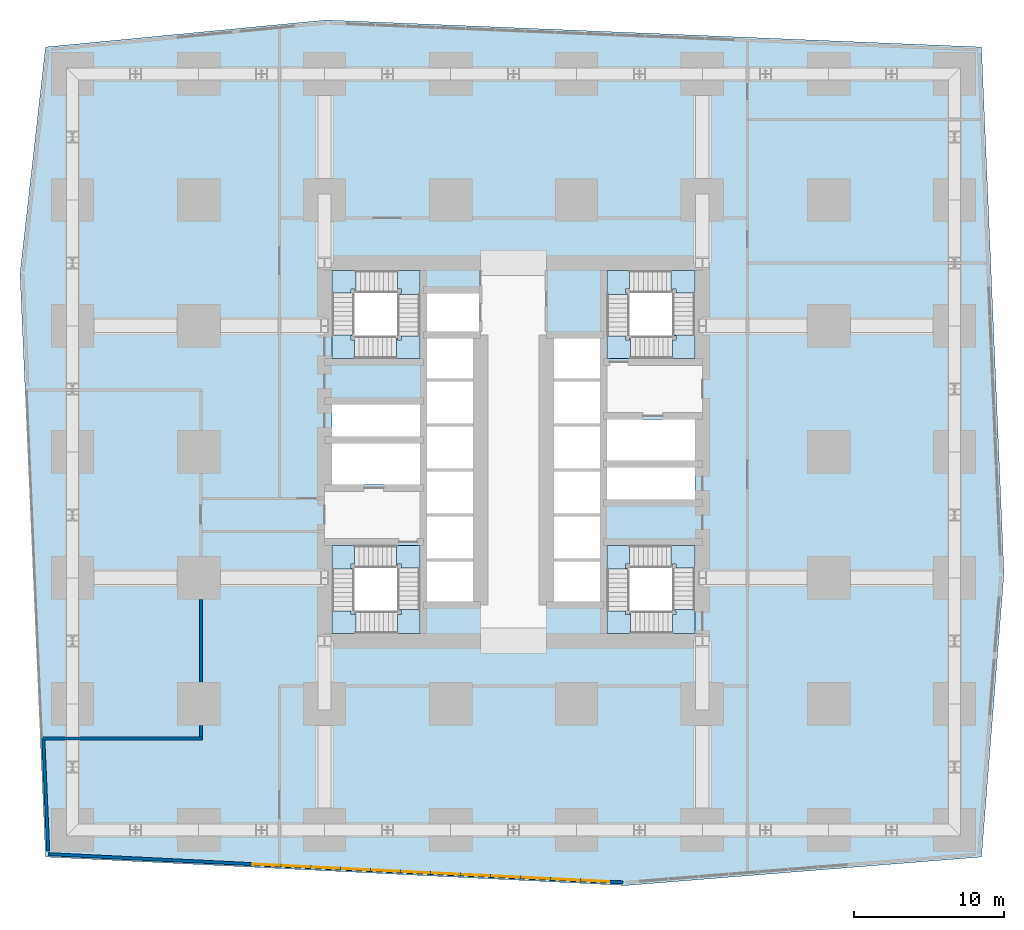
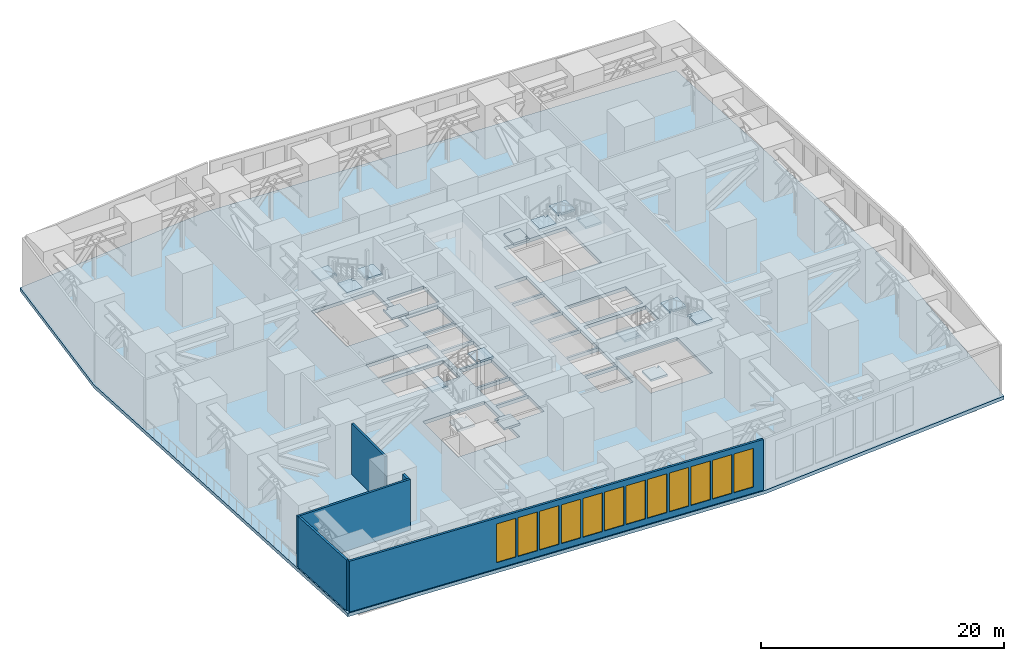
# One storey, part 8 of 16: 17 slabs, 12 windows, 5 walls, 12 openings, 4 elements without a shape of their own.
"""IFC4 building model written with IfcOpenShell, lengths in metres."""

from ifc_helpers import new_model, si_unit, direction, frame, frame_2d, origin, place, context, subcontext, project, spatial, polyline, rectangle, outline, extrude, material, layer, layer_set, type_object, element, fill, aggregate, save


model = new_model("IFC4")

# Units and contexts
model_context = context("Model", 3, precision=1e-05, world=origin(), true_north=direction((0.0, 1.0)))
body_context = subcontext(model_context, "Body", "Model", "MODEL_VIEW")
ifc_project = project(units=[si_unit("LENGTHUNIT", "METRE"), si_unit("AREAUNIT", "SQUARE_METRE"), si_unit("VOLUMEUNIT", "CUBIC_METRE"), si_unit("PLANEANGLEUNIT", "RADIAN"), si_unit("MASSUNIT", "GRAM", prefix="KILO")], contexts=[model_context])

# Site, building, storey
site_placement = place(None, origin())
site = spatial("IfcSite", under=ifc_project, at=site_placement, CompositionType="ELEMENT")
building_placement = place(site_placement, origin())
building = spatial("IfcBuilding", under=site, at=building_placement, Name="Rekha Terrace Tower", CompositionType="ELEMENT")
storey_placement = place(building_placement, frame((0.0, 0.0, 85.39990234375)))
storey = spatial("IfcBuildingStorey", under=building, at=storey_placement, Name="L21", CompositionType="ELEMENT", Elevation=85.39990234375)

# Stair, slabs
ifc_material_1 = material(Name="Concrete M40", Category="concrete")
stair_type = type_object("IfcStairType", Name="ST40 stair, 40 risers of 135, going 310, 1500 wide flights, 4 flights", PredefinedType="QUARTER_TURN_STAIR", material=ifc_material_1)
stair_1_placement = place(storey_placement, origin())
stair_1 = element("IfcStair", 1, at=stair_1_placement, inside=storey, type_object=stair_type, Name="Stair ST1 L21 to L22", PredefinedType="QUARTER_TURN_STAIR")
ifc_layer_1 = layer(ifc_material_1, 0.199951171875)
ifc_layer_set_1 = layer_set([ifc_layer_1], Name="Concrete M40")
slab_type_1 = type_object("IfcSlabType", Name="LD1 200 concrete stair landing", PredefinedType="LANDING", material=ifc_layer_set_1)
slab_1_placement = place(storey_placement, frame((0.0, 0.0, 1.150146484375)))
slab_1 = element("IfcSlab", 2, at=slab_1_placement, type_object=slab_type_1, Name="ST1 landing 1", PredefinedType="LANDING", context=body_context, shape_type="SweptSolid", body=[
    extrude(outline(polyline([(30.074951171875, 21.5), (31.574951171875, 21.5), (31.574951171875, 23.0849609375), (30.074951171875, 23.0849609375), (30.074951171875, 23.0), (30.324951171875, 23.0), (30.324951171875, 22.75), (30.074951171875, 22.75), (30.074951171875, 21.5)])), origin(), (0.0, 0.0, 1.0), 0.199951171875),
])
slab_2_placement = place(storey_placement, frame((0.0, 0.0, 2.5)))
slab_2 = element("IfcSlab", 3, at=slab_2_placement, type_object=slab_type_1, Name="ST1 landing 2", PredefinedType="LANDING", context=body_context, shape_type="SweptSolid", body=[
    extrude(outline(polyline([(25.699951171875, 23.0), (25.699951171875, 21.5), (27.284912109375, 21.5), (27.284912109375, 23.0), (27.199951171875, 23.0), (27.199951171875, 22.75), (26.949951171875, 22.75), (26.949951171875, 23.0), (25.699951171875, 23.0)])), origin(), (0.0, 0.0, 1.0), 0.2001953125),
])
slab_3_placement = place(storey_placement, frame((0.0, 0.0, 3.85009765625)))
slab_3 = element("IfcSlab", 4, at=slab_3_placement, type_object=slab_type_1, Name="ST1 landing 3", PredefinedType="LANDING", context=body_context, shape_type="SweptSolid", body=[
    extrude(outline(polyline([(27.199951171875, 27.375), (25.699951171875, 27.375), (25.699951171875, 25.7900390625), (27.199951171875, 25.7900390625), (27.199951171875, 25.875), (26.949951171875, 25.875), (26.949951171875, 26.125), (27.199951171875, 26.125), (27.199951171875, 27.375)])), origin(), (0.0, 0.0, 1.0), 0.199951171875),
])
slab_4_placement = place(storey_placement, frame((0.0, 0.0, 5.2001953125)))
slab_4 = element("IfcSlab", 5, at=slab_4_placement, type_object=slab_type_1, Name="ST1 landing 4", PredefinedType="LANDING", context=body_context, shape_type="SweptSolid", body=[
    extrude(outline(polyline([(31.574951171875, 25.875), (31.574951171875, 27.375), (29.989990234375, 27.375), (29.989990234375, 25.875), (30.074951171875, 25.875), (30.074951171875, 26.125), (30.324951171875, 26.125), (30.324951171875, 25.875), (31.574951171875, 25.875)])), origin(), (0.0, 0.0, 1.0), 0.199951171875),
])
aggregate(stair_1, [slab_1, slab_2, slab_3, slab_4])

stair_2_placement = place(storey_placement, origin())
stair_2 = element("IfcStair", 6, at=stair_2_placement, inside=storey, type_object=stair_type, Name="Stair ST2 L21 to L22", PredefinedType="QUARTER_TURN_STAIR")
slab_5_placement = place(storey_placement, frame((0.0, 0.0, 1.150146484375)))
slab_5 = element("IfcSlab", 7, at=slab_5_placement, type_object=slab_type_1, Name="ST2 landing 1", PredefinedType="LANDING", context=body_context, shape_type="SweptSolid", body=[
    extrude(outline(polyline([(45.52490234375, 45.699951171875), (44.02490234375, 45.699951171875), (44.02490234375, 44.114990234375), (45.52490234375, 44.114990234375), (45.52490234375, 44.199951171875), (45.27490234375, 44.199951171875), (45.27490234375, 44.449951171875), (45.52490234375, 44.449951171875), (45.52490234375, 45.699951171875)])), origin(), (0.0, 0.0, 1.0), 0.199951171875),
])
slab_6_placement = place(storey_placement, frame((0.0, 0.0, 2.5)))
slab_6 = element("IfcSlab", 8, at=slab_6_placement, type_object=slab_type_1, Name="ST2 landing 2", PredefinedType="LANDING", context=body_context, shape_type="SweptSolid", body=[
    extrude(outline(polyline([(49.89990234375, 44.199951171875), (49.89990234375, 45.699951171875), (48.31494140625, 45.699951171875), (48.31494140625, 44.199951171875), (48.39990234375, 44.199951171875), (48.39990234375, 44.449951171875), (48.64990234375, 44.449951171875), (48.64990234375, 44.199951171875), (49.89990234375, 44.199951171875)])), origin(), (0.0, 0.0, 1.0), 0.2001953125),
])
slab_7_placement = place(storey_placement, frame((0.0, 0.0, 3.85009765625)))
slab_7 = element("IfcSlab", 9, at=slab_7_placement, type_object=slab_type_1, Name="ST2 landing 3", PredefinedType="LANDING", context=body_context, shape_type="SweptSolid", body=[
    extrude(outline(polyline([(48.39990234375, 39.824951171875), (49.89990234375, 39.824951171875), (49.89990234375, 41.409912109375), (48.39990234375, 41.409912109375), (48.39990234375, 41.324951171875), (48.64990234375, 41.324951171875), (48.64990234375, 41.074951171875), (48.39990234375, 41.074951171875), (48.39990234375, 39.824951171875)])), origin(), (0.0, 0.0, 1.0), 0.199951171875),
])
slab_8_placement = place(storey_placement, frame((0.0, 0.0, 5.2001953125)))
slab_8 = element("IfcSlab", 10, at=slab_8_placement, type_object=slab_type_1, Name="ST2 landing 4", PredefinedType="LANDING", context=body_context, shape_type="SweptSolid", body=[
    extrude(outline(polyline([(44.02490234375, 41.324951171875), (44.02490234375, 39.824951171875), (45.610107421875, 39.824951171875), (45.610107421875, 41.324951171875), (45.52490234375, 41.324951171875), (45.52490234375, 41.074951171875), (45.27490234375, 41.074951171875), (45.27490234375, 41.324951171875), (44.02490234375, 41.324951171875)])), origin(), (0.0, 0.0, 1.0), 0.199951171875),
])
aggregate(stair_2, [slab_5, slab_6, slab_7, slab_8])

stair_3_placement = place(storey_placement, origin())
stair_3 = element("IfcStair", 11, at=stair_3_placement, inside=storey, type_object=stair_type, Name="Stair ST3 L21 to L22", PredefinedType="QUARTER_TURN_STAIR")
slab_9_placement = place(storey_placement, frame((0.0, 0.0, 1.150146484375)))
slab_9 = element("IfcSlab", 12, at=slab_9_placement, type_object=slab_type_1, Name="ST3 landing 1", PredefinedType="LANDING", context=body_context, shape_type="SweptSolid", body=[
    extrude(outline(polyline([(44.02490234375, 23.0), (44.02490234375, 21.5), (45.610107421875, 21.5), (45.610107421875, 23.0), (45.52490234375, 23.0), (45.52490234375, 22.75), (45.27490234375, 22.75), (45.27490234375, 23.0), (44.02490234375, 23.0)])), origin(), (0.0, 0.0, 1.0), 0.199951171875),
])
slab_10_placement = place(storey_placement, frame((0.0, 0.0, 2.5)))
slab_10 = element("IfcSlab", 13, at=slab_10_placement, type_object=slab_type_1, Name="ST3 landing 2", PredefinedType="LANDING", context=body_context, shape_type="SweptSolid", body=[
    extrude(outline(polyline([(45.52490234375, 27.375), (44.02490234375, 27.375), (44.02490234375, 25.7900390625), (45.52490234375, 25.7900390625), (45.52490234375, 25.875), (45.27490234375, 25.875), (45.27490234375, 26.125), (45.52490234375, 26.125), (45.52490234375, 27.375)])), origin(), (0.0, 0.0, 1.0), 0.2001953125),
])
slab_11_placement = place(storey_placement, frame((0.0, 0.0, 3.85009765625)))
slab_11 = element("IfcSlab", 14, at=slab_11_placement, type_object=slab_type_1, Name="ST3 landing 3", PredefinedType="LANDING", context=body_context, shape_type="SweptSolid", body=[
    extrude(outline(polyline([(49.89990234375, 25.875), (49.89990234375, 27.375), (48.31494140625, 27.375), (48.31494140625, 25.875), (48.39990234375, 25.875), (48.39990234375, 26.125), (48.64990234375, 26.125), (48.64990234375, 25.875), (49.89990234375, 25.875)])), origin(), (0.0, 0.0, 1.0), 0.199951171875),
])
slab_12_placement = place(storey_placement, frame((0.0, 0.0, 5.2001953125)))
slab_12 = element("IfcSlab", 15, at=slab_12_placement, type_object=slab_type_1, Name="ST3 landing 4", PredefinedType="LANDING", context=body_context, shape_type="SweptSolid", body=[
    extrude(outline(polyline([(48.39990234375, 21.5), (49.89990234375, 21.5), (49.89990234375, 23.0849609375), (48.39990234375, 23.0849609375), (48.39990234375, 23.0), (48.64990234375, 23.0), (48.64990234375, 22.75), (48.39990234375, 22.75), (48.39990234375, 21.5)])), origin(), (0.0, 0.0, 1.0), 0.199951171875),
])
aggregate(stair_3, [slab_9, slab_10, slab_11, slab_12])

stair_4_placement = place(storey_placement, origin())
stair_4 = element("IfcStair", 16, at=stair_4_placement, inside=storey, type_object=stair_type, Name="Stair ST4 L21 to L22", PredefinedType="QUARTER_TURN_STAIR")
slab_13_placement = place(storey_placement, frame((0.0, 0.0, 1.150146484375)))
slab_13 = element("IfcSlab", 17, at=slab_13_placement, type_object=slab_type_1, Name="ST4 landing 1", PredefinedType="LANDING", context=body_context, shape_type="SweptSolid", body=[
    extrude(outline(polyline([(31.574951171875, 41.324951171875), (31.574951171875, 39.824951171875), (29.989990234375, 39.824951171875), (29.989990234375, 41.324951171875), (30.074951171875, 41.324951171875), (30.074951171875, 41.074951171875), (30.324951171875, 41.074951171875), (30.324951171875, 41.324951171875), (31.574951171875, 41.324951171875)])), origin(), (0.0, 0.0, 1.0), 0.199951171875),
])
slab_14_placement = place(storey_placement, frame((0.0, 0.0, 2.5)))
slab_14 = element("IfcSlab", 18, at=slab_14_placement, type_object=slab_type_1, Name="ST4 landing 2", PredefinedType="LANDING", context=body_context, shape_type="SweptSolid", body=[
    extrude(outline(polyline([(30.074951171875, 45.699951171875), (31.574951171875, 45.699951171875), (31.574951171875, 44.114990234375), (30.074951171875, 44.114990234375), (30.074951171875, 44.199951171875), (30.324951171875, 44.199951171875), (30.324951171875, 44.449951171875), (30.074951171875, 44.449951171875), (30.074951171875, 45.699951171875)])), origin(), (0.0, 0.0, 1.0), 0.2001953125),
])
slab_15_placement = place(storey_placement, frame((0.0, 0.0, 3.85009765625)))
slab_15 = element("IfcSlab", 19, at=slab_15_placement, type_object=slab_type_1, Name="ST4 landing 3", PredefinedType="LANDING", context=body_context, shape_type="SweptSolid", body=[
    extrude(outline(polyline([(25.699951171875, 44.199951171875), (25.699951171875, 45.699951171875), (27.284912109375, 45.699951171875), (27.284912109375, 44.199951171875), (27.199951171875, 44.199951171875), (27.199951171875, 44.449951171875), (26.949951171875, 44.449951171875), (26.949951171875, 44.199951171875), (25.699951171875, 44.199951171875)])), origin(), (0.0, 0.0, 1.0), 0.199951171875),
])
slab_16_placement = place(storey_placement, frame((0.0, 0.0, 5.2001953125)))
slab_16 = element("IfcSlab", 20, at=slab_16_placement, type_object=slab_type_1, Name="ST4 landing 4", PredefinedType="LANDING", context=body_context, shape_type="SweptSolid", body=[
    extrude(outline(polyline([(27.199951171875, 39.824951171875), (25.699951171875, 39.824951171875), (25.699951171875, 41.409912109375), (27.199951171875, 41.409912109375), (27.199951171875, 41.324951171875), (26.949951171875, 41.324951171875), (26.949951171875, 41.074951171875), (27.199951171875, 41.074951171875), (27.199951171875, 39.824951171875)])), origin(), (0.0, 0.0, 1.0), 0.199951171875),
])
aggregate(stair_4, [slab_13, slab_14, slab_15, slab_16])

# Slab
ifc_material_2 = material(Name="Concrete M50", Category="concrete")
ifc_layer_2 = layer(ifc_material_2, 0.35009765625)
ifc_layer_set_2 = layer_set([ifc_layer_2], Name="Concrete M50")
slab_type_2 = type_object("IfcSlabType", Name="SL5 350 plant and refuge floor slab", PredefinedType="FLOOR", material=ifc_layer_set_2)
slab_17_placement = place(storey_placement, frame((0.0, 0.0, -0.349853515625)))
element("IfcSlab", 21, at=slab_17_placement, inside=storey, type_object=slab_type_2, Name="Plant and refuge floor slab L21", PredefinedType="FLOOR", context=body_context, shape_type="SweptSolid", body=[
    extrude(outline(polyline([(4.89990234375, 45.47998046875), (6.60009765625, 6.60009765625), (45.2880859375, 4.699951171875), (69.0, 6.60009765625), (70.5, 25.5), (69.0, 60.60009765625), (25.320068359375, 62.39990234375), (6.60009765625, 60.60009765625), (4.89990234375, 45.47998046875)]), holes=[polyline([(31.574951171875, 27.375), (31.574951171875, 21.5), (25.699951171875, 21.5), (25.699951171875, 27.375), (31.574951171875, 27.375)]), polyline([(35.10009765625, 26.300048828125), (35.10009765625, 23.625), (32.02490234375, 23.625), (32.02490234375, 26.300048828125), (35.10009765625, 26.300048828125)]), polyline([(35.10009765625, 29.300048828125), (35.10009765625, 26.5), (32.02490234375, 26.5), (32.02490234375, 29.300048828125), (35.10009765625, 29.300048828125)]), polyline([(35.10009765625, 29.5), (32.02490234375, 29.5), (32.02490234375, 32.300048828125), (35.10009765625, 32.300048828125), (35.10009765625, 29.5)]), polyline([(31.574951171875, 31.425048828125), (25.699951171875, 31.425048828125), (25.699951171875, 34.175048828125), (31.574951171875, 34.175048828125), (31.574951171875, 31.425048828125)]), polyline([(35.10009765625, 35.300048828125), (35.10009765625, 32.5), (32.02490234375, 32.5), (32.02490234375, 35.300048828125), (35.10009765625, 35.300048828125)]), polyline([(31.574951171875, 36.77490234375), (31.574951171875, 34.625), (25.699951171875, 34.625), (25.699951171875, 36.77490234375), (31.574951171875, 36.77490234375)]), polyline([(35.10009765625, 38.300048828125), (35.10009765625, 35.5), (32.02490234375, 35.5), (32.02490234375, 38.300048828125), (35.10009765625, 38.300048828125)]), polyline([(35.10009765625, 38.5), (32.02490234375, 38.5), (32.02490234375, 41.175048828125), (35.10009765625, 41.175048828125), (35.10009765625, 38.5)]), polyline([(31.574951171875, 39.824951171875), (25.699951171875, 39.824951171875), (25.699951171875, 45.699951171875), (31.574951171875, 45.699951171875), (31.574951171875, 39.824951171875)]), polyline([(35.5, 44.175048828125), (35.5, 41.625), (32.02490234375, 41.625), (32.02490234375, 44.175048828125), (35.5, 44.175048828125)]), polyline([(49.89990234375, 27.375), (49.89990234375, 21.5), (44.02490234375, 21.5), (44.02490234375, 27.375), (49.89990234375, 27.375)]), polyline([(43.574951171875, 26.300048828125), (43.574951171875, 23.625), (40.5, 23.625), (40.5, 26.300048828125), (43.574951171875, 26.300048828125)]), polyline([(43.574951171875, 26.5), (40.5, 26.5), (40.5, 29.300048828125), (43.574951171875, 29.300048828125), (43.574951171875, 26.5)]), polyline([(43.574951171875, 29.5), (40.5, 29.5), (40.5, 32.300048828125), (43.574951171875, 32.300048828125), (43.574951171875, 29.5)]), polyline([(49.89990234375, 32.574951171875), (49.89990234375, 30.425048828125), (44.02490234375, 30.425048828125), (44.02490234375, 32.574951171875), (49.89990234375, 32.574951171875)]), polyline([(43.574951171875, 32.5), (40.5, 32.5), (40.5, 35.300048828125), (43.574951171875, 35.300048828125), (43.574951171875, 32.5)]), polyline([(49.89990234375, 33.02490234375), (44.02490234375, 33.02490234375), (44.02490234375, 35.77490234375), (49.89990234375, 35.77490234375), (49.89990234375, 33.02490234375)]), polyline([(43.574951171875, 38.300048828125), (43.574951171875, 35.5), (40.5, 35.5), (40.5, 38.300048828125), (43.574951171875, 38.300048828125)]), polyline([(43.574951171875, 38.5), (40.5, 38.5), (40.5, 41.175048828125), (43.574951171875, 41.175048828125), (43.574951171875, 38.5)]), polyline([(49.89990234375, 39.824951171875), (44.02490234375, 39.824951171875), (44.02490234375, 45.699951171875), (49.89990234375, 45.699951171875), (49.89990234375, 39.824951171875)])]), origin(), (0.0, 0.0, 1.0), 0.349853515625),
])

# Wall, openings, windows
ifc_material_3 = material(Name="Aluminium cladding on steel stud wall", Category="steel")
ifc_layer_3 = layer(ifc_material_3, 0.199951171875)
ifc_layer_set_3 = layer_set([ifc_layer_3], Name="Aluminium cladding on steel stud wall")
wall_type_1 = type_object("IfcWallType", Name="EW1 plant floor louvre wall 200", PredefinedType="SOLIDWALL", material=ifc_layer_set_3)
wall_1_placement = place(storey_placement, frame((6.791748046875, 6.790771484375, 0.0), z_axis=(0.0, 0.0, 1.0), x_axis=(0.998796250748, -0.049051498371, 0.0)))
wall_1 = element("IfcWall", 22, at=wall_1_placement, inside=storey, type_object=wall_type_1, Name="Plant floor louvre wall", PredefinedType="SOLIDWALL", context=body_context, shape_type="SweptSolid", body=[
    extrude(rectangle(XDim=38.339599609375, YDim=0.199951171875, at=frame_2d((19.169921875, 0.0))), origin(), (0.0, 0.0, 1.0), 5.10009765625),
])
opening_1_placement = place(wall_1_placement, frame((13.62939453125, 0.0, 0.60009765625)))
opening_1 = element("IfcOpeningElement", 23, at=opening_1_placement, cuts=wall_1, Name="Opening LV2", PredefinedType="OPENING", context=body_context, shape_type="SweptSolid", body=[
    extrude(rectangle(XDim=1.800048828125, YDim=3.89990234375, at=frame_2d((0.89990234375, 1.949951171875))), frame((0.0, 0.10986328125, 0.0), z_axis=(0.0, -1.0, 0.0), x_axis=(1.0, 0.0, 0.0)), (0.0, 0.0, 1.0), 0.219970703125),
])
opening_2_placement = place(wall_1_placement, frame((15.62939453125, 0.0, 0.60009765625)))
opening_2 = element("IfcOpeningElement", 24, at=opening_2_placement, cuts=wall_1, Name="Opening LV2", PredefinedType="OPENING", context=body_context, shape_type="SweptSolid", body=[
    extrude(rectangle(XDim=1.800048828125, YDim=3.89990234375, at=frame_2d((0.89990234375, 1.949951171875))), frame((0.0, 0.10986328125, 0.0), z_axis=(0.0, -1.0, 0.0), x_axis=(1.0, 0.0, 0.0)), (0.0, 0.0, 1.0), 0.219970703125),
])
opening_3_placement = place(wall_1_placement, frame((17.62939453125, 0.0, 0.60009765625)))
opening_3 = element("IfcOpeningElement", 25, at=opening_3_placement, cuts=wall_1, Name="Opening LV2", PredefinedType="OPENING", context=body_context, shape_type="SweptSolid", body=[
    extrude(rectangle(XDim=1.800048828125, YDim=3.89990234375, at=frame_2d((0.89990234375, 1.949951171875))), frame((0.0, 0.10986328125, 0.0), z_axis=(0.0, -1.0, 0.0), x_axis=(1.0, 0.0, 0.0)), (0.0, 0.0, 1.0), 0.219970703125),
])
opening_4_placement = place(wall_1_placement, frame((19.62939453125, 0.0, 0.60009765625)))
opening_4 = element("IfcOpeningElement", 26, at=opening_4_placement, cuts=wall_1, Name="Opening LV2", PredefinedType="OPENING", context=body_context, shape_type="SweptSolid", body=[
    extrude(rectangle(XDim=1.800048828125, YDim=3.89990234375, at=frame_2d((0.89990234375, 1.949951171875))), frame((0.0, 0.10986328125, 0.0), z_axis=(0.0, -1.0, 0.0), x_axis=(1.0, 0.0, 0.0)), (0.0, 0.0, 1.0), 0.219970703125),
])
opening_5_placement = place(wall_1_placement, frame((21.62939453125, 0.0, 0.60009765625)))
opening_5 = element("IfcOpeningElement", 27, at=opening_5_placement, cuts=wall_1, Name="Opening LV2", PredefinedType="OPENING", context=body_context, shape_type="SweptSolid", body=[
    extrude(rectangle(XDim=1.800048828125, YDim=3.89990234375, at=frame_2d((0.89990234375, 1.949951171875))), frame((0.0, 0.10986328125, 0.0), z_axis=(0.0, -1.0, 0.0), x_axis=(1.0, 0.0, 0.0)), (0.0, 0.0, 1.0), 0.219970703125),
])
opening_6_placement = place(wall_1_placement, frame((23.62939453125, 0.0, 0.60009765625)))
opening_6 = element("IfcOpeningElement", 28, at=opening_6_placement, cuts=wall_1, Name="Opening LV2", PredefinedType="OPENING", context=body_context, shape_type="SweptSolid", body=[
    extrude(rectangle(XDim=1.800048828125, YDim=3.89990234375, at=frame_2d((0.89990234375, 1.949951171875))), frame((0.0, 0.10986328125, 0.0), z_axis=(0.0, -1.0, 0.0), x_axis=(1.0, 0.0, 0.0)), (0.0, 0.0, 1.0), 0.219970703125),
])
opening_7_placement = place(wall_1_placement, frame((25.62939453125, 0.0, 0.60009765625)))
opening_7 = element("IfcOpeningElement", 29, at=opening_7_placement, cuts=wall_1, Name="Opening LV2", PredefinedType="OPENING", context=body_context, shape_type="SweptSolid", body=[
    extrude(rectangle(XDim=1.800048828125, YDim=3.89990234375, at=frame_2d((0.89990234375, 1.949951171875))), frame((0.0, 0.10986328125, 0.0), z_axis=(0.0, -1.0, 0.0), x_axis=(1.0, 0.0, 0.0)), (0.0, 0.0, 1.0), 0.219970703125),
])
opening_8_placement = place(wall_1_placement, frame((27.62939453125, 0.0, 0.60009765625)))
opening_8 = element("IfcOpeningElement", 30, at=opening_8_placement, cuts=wall_1, Name="Opening LV2", PredefinedType="OPENING", context=body_context, shape_type="SweptSolid", body=[
    extrude(rectangle(XDim=1.800048828125, YDim=3.89990234375, at=frame_2d((0.89990234375, 1.949951171875))), frame((0.0, 0.10986328125, 0.0), z_axis=(0.0, -1.0, 0.0), x_axis=(1.0, 0.0, 0.0)), (0.0, 0.0, 1.0), 0.219970703125),
])
opening_9_placement = place(wall_1_placement, frame((29.62939453125, 0.0, 0.60009765625)))
opening_9 = element("IfcOpeningElement", 31, at=opening_9_placement, cuts=wall_1, Name="Opening LV2", PredefinedType="OPENING", context=body_context, shape_type="SweptSolid", body=[
    extrude(rectangle(XDim=1.800048828125, YDim=3.89990234375, at=frame_2d((0.89990234375, 1.949951171875))), frame((0.0, 0.10986328125, 0.0), z_axis=(0.0, -1.0, 0.0), x_axis=(1.0, 0.0, 0.0)), (0.0, 0.0, 1.0), 0.219970703125),
])
opening_10_placement = place(wall_1_placement, frame((31.62939453125, 0.0, 0.60009765625)))
opening_10 = element("IfcOpeningElement", 32, at=opening_10_placement, cuts=wall_1, Name="Opening LV2", PredefinedType="OPENING", context=body_context, shape_type="SweptSolid", body=[
    extrude(rectangle(XDim=1.800048828125, YDim=3.89990234375, at=frame_2d((0.89990234375, 1.949951171875))), frame((0.0, 0.10986328125, 0.0), z_axis=(0.0, -1.0, 0.0), x_axis=(1.0, 0.0, 0.0)), (0.0, 0.0, 1.0), 0.219970703125),
])
opening_11_placement = place(wall_1_placement, frame((33.62939453125, 0.0, 0.60009765625)))
opening_11 = element("IfcOpeningElement", 33, at=opening_11_placement, cuts=wall_1, Name="Opening LV2", PredefinedType="OPENING", context=body_context, shape_type="SweptSolid", body=[
    extrude(rectangle(XDim=1.800048828125, YDim=3.89990234375, at=frame_2d((0.89990234375, 1.949951171875))), frame((0.0, 0.10986328125, 0.0), z_axis=(0.0, -1.0, 0.0), x_axis=(1.0, 0.0, 0.0)), (0.0, 0.0, 1.0), 0.219970703125),
])
opening_12_placement = place(wall_1_placement, frame((35.62939453125, 0.0, 0.60009765625)))
opening_12 = element("IfcOpeningElement", 34, at=opening_12_placement, cuts=wall_1, Name="Opening LV2", PredefinedType="OPENING", context=body_context, shape_type="SweptSolid", body=[
    extrude(rectangle(XDim=1.800048828125, YDim=3.89990234375, at=frame_2d((0.89990234375, 1.949951171875))), frame((0.0, 0.10986328125, 0.0), z_axis=(0.0, -1.0, 0.0), x_axis=(1.0, 0.0, 0.0)), (0.0, 0.0, 1.0), 0.219970703125),
])
ifc_material_4 = material(Name="Extruded aluminium weather louvre", Category="aluminium")
window_type = type_object("IfcWindowType", Name="LV2 plant louvre 1800", PartitioningType="SINGLE_PANEL", PredefinedType="USERDEFINED", material=ifc_material_4)
window_1_placement = place(opening_1_placement, origin())
window_1 = element("IfcWindow", 35, at=window_1_placement, inside=storey, type_object=window_type, Name="Plant louvre", ObjectType="LOUVRE", OverallHeight=3.89990234375, OverallWidth=1.800048828125, PartitioningType="SINGLE_PANEL", PredefinedType="USERDEFINED", context=body_context, shape_type="SweptSolid", body=[
    extrude(rectangle(XDim=1.800048828125, YDim=3.89990234375, at=frame_2d((0.89990234375, 1.949951171875))), frame((0.0, 0.030029296875, 0.0), z_axis=(0.0, -1.0, 0.0), x_axis=(1.0, 0.0, 0.0)), (0.0, 0.0, 1.0), 0.06005859375),
])
fill(opening_1, window_1)
window_2_placement = place(opening_2_placement, origin())
window_2 = element("IfcWindow", 36, at=window_2_placement, inside=storey, type_object=window_type, Name="Plant louvre", ObjectType="LOUVRE", OverallHeight=3.89990234375, OverallWidth=1.800048828125, PartitioningType="SINGLE_PANEL", PredefinedType="USERDEFINED", context=body_context, shape_type="SweptSolid", body=[
    extrude(rectangle(XDim=1.800048828125, YDim=3.89990234375, at=frame_2d((0.89990234375, 1.949951171875))), frame((0.0, 0.030029296875, 0.0), z_axis=(0.0, -1.0, 0.0), x_axis=(1.0, 0.0, 0.0)), (0.0, 0.0, 1.0), 0.06005859375),
])
fill(opening_2, window_2)
window_3_placement = place(opening_3_placement, origin())
window_3 = element("IfcWindow", 37, at=window_3_placement, inside=storey, type_object=window_type, Name="Plant louvre", ObjectType="LOUVRE", OverallHeight=3.89990234375, OverallWidth=1.800048828125, PartitioningType="SINGLE_PANEL", PredefinedType="USERDEFINED", context=body_context, shape_type="SweptSolid", body=[
    extrude(rectangle(XDim=1.800048828125, YDim=3.89990234375, at=frame_2d((0.89990234375, 1.949951171875))), frame((0.0, 0.030029296875, 0.0), z_axis=(0.0, -1.0, 0.0), x_axis=(1.0, 0.0, 0.0)), (0.0, 0.0, 1.0), 0.06005859375),
])
fill(opening_3, window_3)
window_4_placement = place(opening_4_placement, origin())
window_4 = element("IfcWindow", 38, at=window_4_placement, inside=storey, type_object=window_type, Name="Plant louvre", ObjectType="LOUVRE", OverallHeight=3.89990234375, OverallWidth=1.800048828125, PartitioningType="SINGLE_PANEL", PredefinedType="USERDEFINED", context=body_context, shape_type="SweptSolid", body=[
    extrude(rectangle(XDim=1.800048828125, YDim=3.89990234375, at=frame_2d((0.89990234375, 1.949951171875))), frame((0.0, 0.030029296875, 0.0), z_axis=(0.0, -1.0, 0.0), x_axis=(1.0, 0.0, 0.0)), (0.0, 0.0, 1.0), 0.06005859375),
])
fill(opening_4, window_4)
window_5_placement = place(opening_5_placement, origin())
window_5 = element("IfcWindow", 39, at=window_5_placement, inside=storey, type_object=window_type, Name="Plant louvre", ObjectType="LOUVRE", OverallHeight=3.89990234375, OverallWidth=1.800048828125, PartitioningType="SINGLE_PANEL", PredefinedType="USERDEFINED", context=body_context, shape_type="SweptSolid", body=[
    extrude(rectangle(XDim=1.800048828125, YDim=3.89990234375, at=frame_2d((0.89990234375, 1.949951171875))), frame((0.0, 0.030029296875, 0.0), z_axis=(0.0, -1.0, 0.0), x_axis=(1.0, 0.0, 0.0)), (0.0, 0.0, 1.0), 0.06005859375),
])
fill(opening_5, window_5)
window_6_placement = place(opening_6_placement, origin())
window_6 = element("IfcWindow", 40, at=window_6_placement, inside=storey, type_object=window_type, Name="Plant louvre", ObjectType="LOUVRE", OverallHeight=3.89990234375, OverallWidth=1.800048828125, PartitioningType="SINGLE_PANEL", PredefinedType="USERDEFINED", context=body_context, shape_type="SweptSolid", body=[
    extrude(rectangle(XDim=1.800048828125, YDim=3.89990234375, at=frame_2d((0.89990234375, 1.949951171875))), frame((0.0, 0.030029296875, 0.0), z_axis=(0.0, -1.0, 0.0), x_axis=(1.0, 0.0, 0.0)), (0.0, 0.0, 1.0), 0.06005859375),
])
fill(opening_6, window_6)
window_7_placement = place(opening_7_placement, origin())
window_7 = element("IfcWindow", 41, at=window_7_placement, inside=storey, type_object=window_type, Name="Plant louvre", ObjectType="LOUVRE", OverallHeight=3.89990234375, OverallWidth=1.800048828125, PartitioningType="SINGLE_PANEL", PredefinedType="USERDEFINED", context=body_context, shape_type="SweptSolid", body=[
    extrude(rectangle(XDim=1.800048828125, YDim=3.89990234375, at=frame_2d((0.89990234375, 1.949951171875))), frame((0.0, 0.030029296875, 0.0), z_axis=(0.0, -1.0, 0.0), x_axis=(1.0, 0.0, 0.0)), (0.0, 0.0, 1.0), 0.06005859375),
])
fill(opening_7, window_7)
window_8_placement = place(opening_8_placement, origin())
window_8 = element("IfcWindow", 42, at=window_8_placement, inside=storey, type_object=window_type, Name="Plant louvre", ObjectType="LOUVRE", OverallHeight=3.89990234375, OverallWidth=1.800048828125, PartitioningType="SINGLE_PANEL", PredefinedType="USERDEFINED", context=body_context, shape_type="SweptSolid", body=[
    extrude(rectangle(XDim=1.800048828125, YDim=3.89990234375, at=frame_2d((0.89990234375, 1.949951171875))), frame((0.0, 0.030029296875, 0.0), z_axis=(0.0, -1.0, 0.0), x_axis=(1.0, 0.0, 0.0)), (0.0, 0.0, 1.0), 0.06005859375),
])
fill(opening_8, window_8)
window_9_placement = place(opening_9_placement, origin())
window_9 = element("IfcWindow", 43, at=window_9_placement, inside=storey, type_object=window_type, Name="Plant louvre", ObjectType="LOUVRE", OverallHeight=3.89990234375, OverallWidth=1.800048828125, PartitioningType="SINGLE_PANEL", PredefinedType="USERDEFINED", context=body_context, shape_type="SweptSolid", body=[
    extrude(rectangle(XDim=1.800048828125, YDim=3.89990234375, at=frame_2d((0.89990234375, 1.949951171875))), frame((0.0, 0.030029296875, 0.0), z_axis=(0.0, -1.0, 0.0), x_axis=(1.0, 0.0, 0.0)), (0.0, 0.0, 1.0), 0.06005859375),
])
fill(opening_9, window_9)
window_10_placement = place(opening_10_placement, origin())
window_10 = element("IfcWindow", 44, at=window_10_placement, inside=storey, type_object=window_type, Name="Plant louvre", ObjectType="LOUVRE", OverallHeight=3.89990234375, OverallWidth=1.800048828125, PartitioningType="SINGLE_PANEL", PredefinedType="USERDEFINED", context=body_context, shape_type="SweptSolid", body=[
    extrude(rectangle(XDim=1.800048828125, YDim=3.89990234375, at=frame_2d((0.89990234375, 1.949951171875))), frame((0.0, 0.030029296875, 0.0), z_axis=(0.0, -1.0, 0.0), x_axis=(1.0, 0.0, 0.0)), (0.0, 0.0, 1.0), 0.06005859375),
])
fill(opening_10, window_10)
window_11_placement = place(opening_11_placement, origin())
window_11 = element("IfcWindow", 45, at=window_11_placement, inside=storey, type_object=window_type, Name="Plant louvre", ObjectType="LOUVRE", OverallHeight=3.89990234375, OverallWidth=1.800048828125, PartitioningType="SINGLE_PANEL", PredefinedType="USERDEFINED", context=body_context, shape_type="SweptSolid", body=[
    extrude(rectangle(XDim=1.800048828125, YDim=3.89990234375, at=frame_2d((0.89990234375, 1.949951171875))), frame((0.0, 0.030029296875, 0.0), z_axis=(0.0, -1.0, 0.0), x_axis=(1.0, 0.0, 0.0)), (0.0, 0.0, 1.0), 0.06005859375),
])
fill(opening_11, window_11)
window_12_placement = place(opening_12_placement, origin())
window_12 = element("IfcWindow", 46, at=window_12_placement, inside=storey, type_object=window_type, Name="Plant louvre", ObjectType="LOUVRE", OverallHeight=3.89990234375, OverallWidth=1.800048828125, PartitioningType="SINGLE_PANEL", PredefinedType="USERDEFINED", context=body_context, shape_type="SweptSolid", body=[
    extrude(rectangle(XDim=1.800048828125, YDim=3.89990234375, at=frame_2d((0.89990234375, 1.949951171875))), frame((0.0, 0.030029296875, 0.0), z_axis=(0.0, -1.0, 0.0), x_axis=(1.0, 0.0, 0.0)), (0.0, 0.0, 1.0), 0.06005859375),
])
fill(opening_12, window_12)

# Walls
wall_2_placement = place(storey_placement, frame((6.459228515625, 14.39697265625, 0.0), z_axis=(0.0, 0.0, 1.0), x_axis=(0.043701615947, -0.999044628014, 0.0)))
element("IfcWall", 47, at=wall_2_placement, inside=storey, type_object=wall_type_1, Name="Plant floor louvre wall", PredefinedType="SOLIDWALL", context=body_context, shape_type="SweptSolid", body=[
    extrude(rectangle(XDim=7.413330078125, YDim=0.199951171875, at=frame_2d((3.70654296875, 0.0))), origin(), (0.0, 0.0, 1.0), 5.10009765625),
])
ifc_material_5 = material(Name="Solid concrete block masonry, 2 hour", Category="masonry")
ifc_layer_4 = layer(ifc_material_5, 0.199951171875)
ifc_layer_set_4 = layer_set([ifc_layer_4], Name="Solid concrete block masonry, 2 hour")
wall_type_2 = type_object("IfcWallType", Name="WS1 200 stair and shaft enclosure", PredefinedType="PARTITIONING", material=ifc_layer_set_4)
wall_3_placement = place(storey_placement, frame((16.949951171875, 14.596923828125, 0.0), z_axis=(0.0, 0.0, 1.0), x_axis=(0.0, 1.0, 0.0)))
element("IfcWall", 48, at=wall_3_placement, inside=storey, type_object=wall_type_2, Name="Refuge area inner wall L21", PredefinedType="PARTITIONING", context=body_context, shape_type="SweptSolid", body=[
    extrude(rectangle(XDim=0.753173828125, YDim=0.199951171875, at=frame_2d((0.37646484375, 0.0))), origin(), (0.0, 0.0, 1.0), 5.10009765625),
])
wall_4_placement = place(storey_placement, frame((16.949951171875, 18.25, 0.0), z_axis=(0.0, 0.0, 1.0), x_axis=(0.0, 1.0, 0.0)))
element("IfcWall", 49, at=wall_4_placement, inside=storey, type_object=wall_type_2, Name="Refuge area inner wall L21", PredefinedType="PARTITIONING", context=body_context, shape_type="SweptSolid", body=[
    extrude(rectangle(XDim=5.5, YDim=0.199951171875, at=frame_2d((2.75, 0.0))), origin(), (0.0, 0.0, 1.0), 5.10009765625),
])
wall_5_placement = place(storey_placement, frame((6.35498046875, 14.4970703125, 0.0), z_axis=(0.0, 0.0, 1.0), x_axis=(1.0, 0.0, 0.0)))
element("IfcWall", 50, at=wall_5_placement, inside=storey, type_object=wall_type_2, Name="Refuge area south wall L21", PredefinedType="PARTITIONING", context=body_context, shape_type="SweptSolid", body=[
    extrude(rectangle(XDim=10.695068359375, YDim=0.199951171875, at=frame_2d((5.34765625, 0.0))), origin(), (0.0, 0.0, 1.0), 5.10009765625),
])

save(model, "model.ifc")
